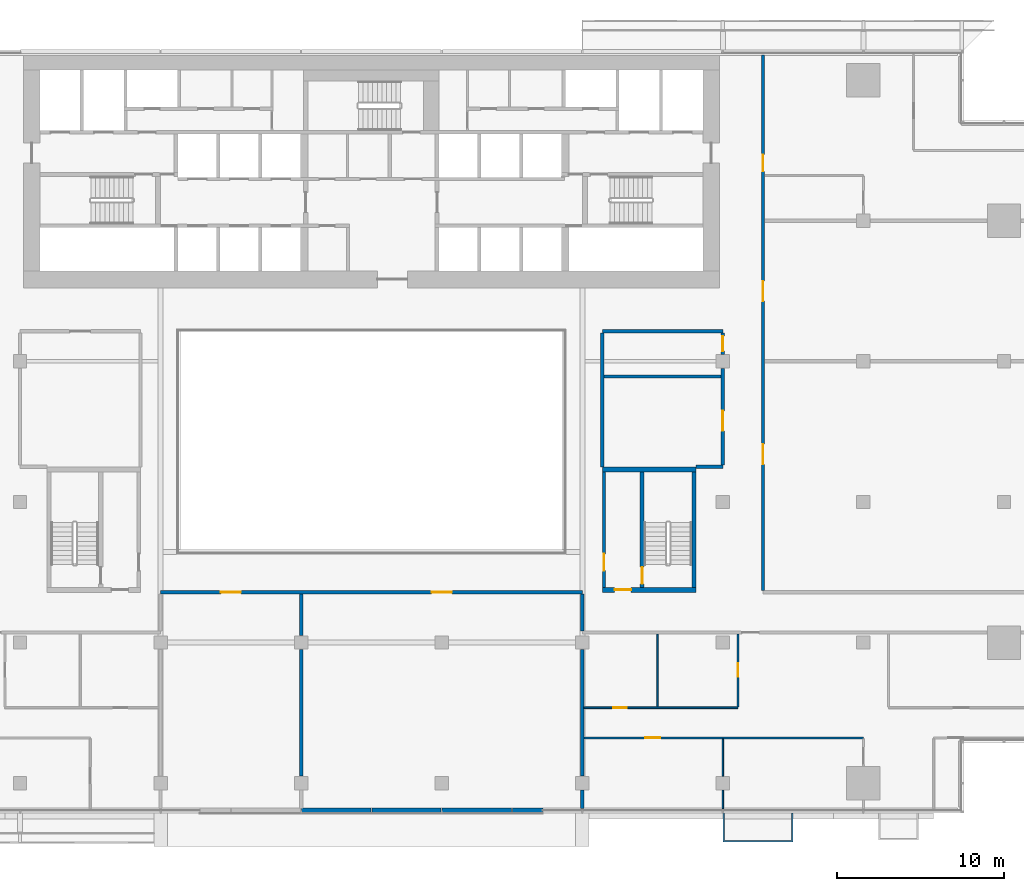
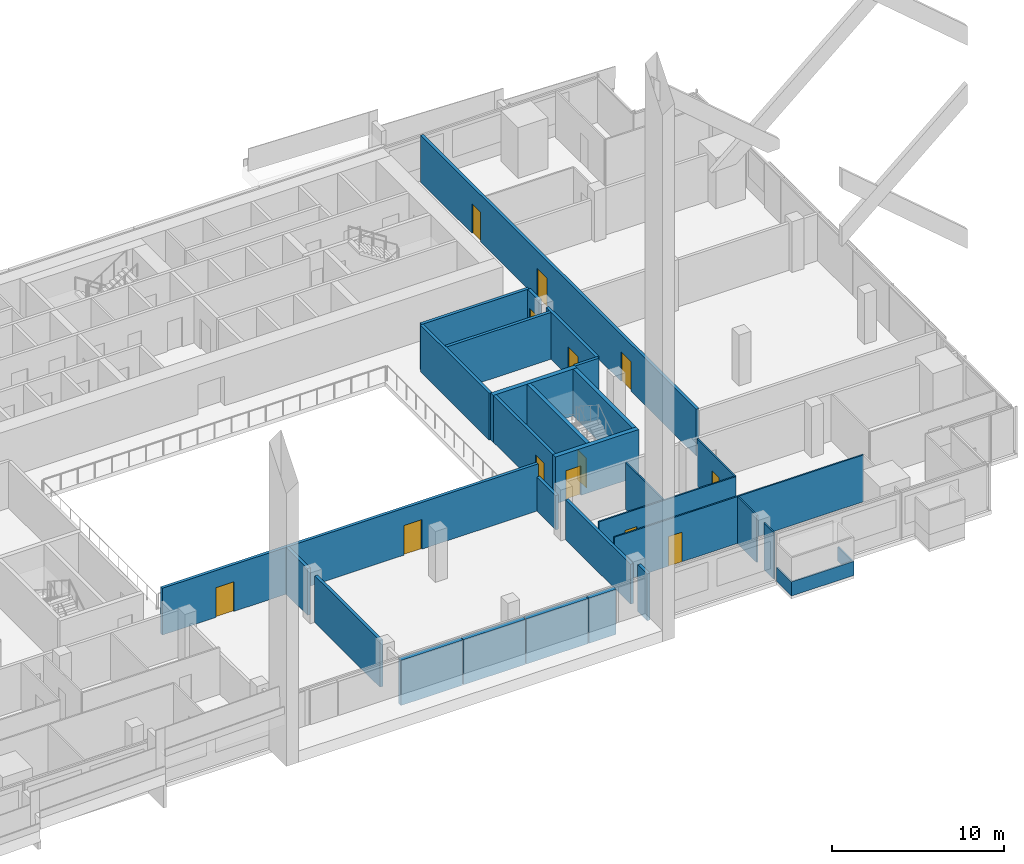
# One storey, part 20 of 30: 29 walls, 13 doors, 13 openings.
"""IFC4 building model written with IfcOpenShell, lengths in metres."""

from ifc_helpers import new_model, si_unit, direction, frame, frame_2d, origin, place, context, subcontext, project, spatial, polyline, rectangle, outline, extrude, material, layer, layer_set, type_object, element, fill, save


model = new_model("IFC4")

# Units and contexts
model_context = context("Model", 3, precision=1e-05, world=origin(), true_north=direction((0.0, 1.0)))
body_context = subcontext(model_context, "Body", "Model", "MODEL_VIEW")
ifc_project = project(units=[si_unit("LENGTHUNIT", "METRE"), si_unit("AREAUNIT", "SQUARE_METRE"), si_unit("VOLUMEUNIT", "CUBIC_METRE"), si_unit("PLANEANGLEUNIT", "RADIAN"), si_unit("MASSUNIT", "GRAM", prefix="KILO")], contexts=[model_context])

# Site, building, storey
site_placement = place(None, origin())
site = spatial("IfcSite", under=ifc_project, at=site_placement, CompositionType="ELEMENT")
building_placement = place(site_placement, origin())
building = spatial("IfcBuilding", under=site, at=building_placement, Name="Saffron Gate Tower", CompositionType="ELEMENT")
storey_placement = place(building_placement, frame((0.0, 0.0, 95.25)))
storey = spatial("IfcBuildingStorey", under=building, at=storey_placement, Name="L21", CompositionType="ELEMENT", Elevation=95.25)

# Wall, opening, door
ifc_material_1 = material(Name="Gypsum board partition on steel studs", Category="steel")
ifc_layer_1 = layer(ifc_material_1, 0.199951171875)
ifc_layer_set_1 = layer_set([ifc_layer_1], Name="CW10 Core partition 200")
wall_type_1 = type_object("IfcWallType", Name="CW10 Core partition 200", PredefinedType="PARTITIONING", material=ifc_layer_set_1)
wall_1_placement = place(storey_placement, frame((101.5, 43.5, 0.0), z_axis=(0.0, 0.0, 1.0), x_axis=(0.0, 1.0, 0.0)))
wall_1 = element("IfcWall", 1, at=wall_1_placement, inside=storey, type_object=wall_type_1, Name="Wall CW10-L21-E-2", PredefinedType="PARTITIONING", context=body_context, shape_type="SweptSolid", body=[
    extrude(rectangle(XDim=6.89990234375, YDim=0.199951171875, at=frame_2d((3.449951171875, 0.0))), origin(), (0.0, 0.0, 1.0), 3.320068359375),
])
opening_1_placement = place(wall_1_placement, frame((1.0, 0.0, 0.0)))
opening_1 = element("IfcOpeningElement", 2, at=opening_1_placement, cuts=wall_1, Name="Opening CR-22", PredefinedType="OPENING", context=body_context, shape_type="SweptSolid", body=[
    extrude(rectangle(XDim=1.0, YDim=2.10009765625, at=frame_2d((0.5, 1.050048828125))), frame((0.0, 0.10986328125, 0.0), z_axis=(0.0, -1.0, 0.0), x_axis=(1.0, 0.0, 0.0)), (0.0, 0.0, 1.0), 0.219970703125),
])
ifc_material_2 = material(Name="Steel fire door set", Category="steel")
door_type_1 = type_object("IfcDoorType", Name="CD4 Lobby door 1000x2100 EI 120", OperationType="NOTDEFINED", PredefinedType="DOOR", material=ifc_material_2)
door_1_placement = place(opening_1_placement, origin())
door_1 = element("IfcDoor", 3, at=door_1_placement, inside=storey, type_object=door_type_1, Name="DOOR CR-22", OperationType="SINGLE_SWING_LEFT", OverallHeight=2.10009765625, OverallWidth=1.0, PredefinedType="DOOR", context=body_context, shape_type="SweptSolid", body=[
    extrude(rectangle(XDim=1.0, YDim=2.10009765625, at=frame_2d((0.5, 1.050048828125))), frame((0.0, 0.02490234375, 0.0), z_axis=(0.0, -1.0, 0.0), x_axis=(1.0, 0.0, 0.0)), (0.0, 0.0, 1.0), 0.050048828125),
])
fill(opening_1, door_1)

ifc_material_3 = material(Name="Concrete C70", Category="concrete")
ifc_layer_2 = layer(ifc_material_3, 0.25)
ifc_layer_set_2 = layer_set([ifc_layer_2], Name="CW2 RC core wall 250 C70")
wall_type_2 = type_object("IfcWallType", Name="CW2 RC core wall 250 C70", PredefinedType="SOLIDWALL", material=ifc_layer_set_2)
wall_2_placement = place(storey_placement, frame((103.77490234375, 43.5, 0.0), z_axis=(0.0, 0.0, 1.0), x_axis=(0.0, 1.0, 0.0)))
wall_2 = element("IfcWall", 4, at=wall_2_placement, inside=storey, type_object=wall_type_2, Name="Wall CW2-L21-E-3", PredefinedType="SOLIDWALL", context=body_context, shape_type="SweptSolid", body=[
    extrude(rectangle(XDim=6.89990234375, YDim=0.25, at=frame_2d((3.449951171875, 0.0))), origin(), (0.0, 0.0, 1.0), 3.320068359375),
])
opening_2_placement = place(wall_2_placement, frame((0.199951171875, 0.0, 0.0)))
opening_2 = element("IfcOpeningElement", 5, at=opening_2_placement, cuts=wall_2, Name="Opening CR-23", PredefinedType="OPENING", context=body_context, shape_type="SweptSolid", body=[
    extrude(rectangle(XDim=1.0, YDim=2.10009765625, at=frame_2d((0.5, 1.050048828125))), frame((0.0, 0.135009765625, 0.0), z_axis=(0.0, -1.0, 0.0), x_axis=(1.0, 0.0, 0.0)), (0.0, 0.0, 1.0), 0.27001953125),
])
door_type_2 = type_object("IfcDoorType", Name="CD5 Stair door 1000x2100 EI 120", OperationType="NOTDEFINED", PredefinedType="DOOR", material=ifc_material_2)
door_2_placement = place(opening_2_placement, origin())
door_2 = element("IfcDoor", 6, at=door_2_placement, inside=storey, type_object=door_type_2, Name="DOOR CR-23", OperationType="SINGLE_SWING_RIGHT", OverallHeight=2.10009765625, OverallWidth=1.0, PredefinedType="DOOR", context=body_context, shape_type="SweptSolid", body=[
    extrude(rectangle(XDim=1.0, YDim=2.10009765625, at=frame_2d((0.5, 1.050048828125))), frame((0.0, 0.02490234375, 0.0), z_axis=(0.0, -1.0, 0.0), x_axis=(1.0, 0.0, 0.0)), (0.0, 0.0, 1.0), 0.050048828125),
])
fill(opening_2, door_2)

# Wall
wall_3_placement = place(storey_placement, frame((106.875, 43.5, 0.0), z_axis=(0.0, 0.0, 1.0), x_axis=(0.0, 1.0, 0.0)))
element("IfcWall", 7, at=wall_3_placement, inside=storey, type_object=wall_type_2, Name="Wall CW2-L21-E-4", PredefinedType="SOLIDWALL", context=body_context, shape_type="SweptSolid", body=[
    extrude(rectangle(XDim=6.89990234375, YDim=0.25, at=frame_2d((3.449951171875, 0.0))), origin(), (0.0, 0.0, 1.0), 3.320068359375),
])

# Wall, opening, door
ifc_layer_3 = layer(ifc_material_3, 0.300048828125)
ifc_layer_set_3 = layer_set([ifc_layer_3], Name="CW5 RC core wall 300 C70")
wall_type_3 = type_object("IfcWallType", Name="CW5 RC core wall 300 C70", PredefinedType="SOLIDWALL", material=ifc_layer_set_3)
wall_4_placement = place(storey_placement, frame((101.39990234375, 43.35009765625, 0.0), z_axis=(0.0, 0.0, 1.0), x_axis=(1.0, 0.0, 0.0)))
wall_4 = element("IfcWall", 8, at=wall_4_placement, inside=storey, type_object=wall_type_3, Name="Wall CW5-L21-E-1", PredefinedType="SOLIDWALL", context=body_context, shape_type="SweptSolid", body=[
    extrude(rectangle(XDim=5.60009765625, YDim=0.300048828125, at=frame_2d((2.800048828125, 0.0))), origin(), (0.0, 0.0, 1.0), 3.320068359375),
])
opening_3_placement = place(wall_4_placement, frame((0.72509765625, 0.0, 0.0)))
opening_3 = element("IfcOpeningElement", 9, at=opening_3_placement, cuts=wall_4, Name="Opening CR-21", PredefinedType="OPENING", context=body_context, shape_type="SweptSolid", body=[
    extrude(rectangle(XDim=1.0, YDim=2.10009765625, at=frame_2d((0.5, 1.050048828125))), frame((0.0, 0.16015625, 0.0), z_axis=(0.0, -1.0, 0.0), x_axis=(1.0, 0.0, 0.0)), (0.0, 0.0, 1.0), 0.320068359375),
])
door_3_placement = place(opening_3_placement, origin())
door_3 = element("IfcDoor", 10, at=door_3_placement, inside=storey, type_object=door_type_1, Name="DOOR CR-21", OperationType="SINGLE_SWING_RIGHT", OverallHeight=2.10009765625, OverallWidth=1.0, PredefinedType="DOOR", context=body_context, shape_type="SweptSolid", body=[
    extrude(rectangle(XDim=1.0, YDim=2.10009765625, at=frame_2d((0.5, 1.050048828125))), frame((0.0, 0.02490234375, 0.0), z_axis=(0.0, -1.0, 0.0), x_axis=(1.0, 0.0, 0.0)), (0.0, 0.0, 1.0), 0.050048828125),
])
fill(opening_3, door_3)

# Wall
wall_5_placement = place(storey_placement, frame((101.39990234375, 50.550048828125, 0.0), z_axis=(0.0, 0.0, 1.0), x_axis=(1.0, 0.0, 0.0)))
element("IfcWall", 11, at=wall_5_placement, inside=storey, type_object=wall_type_3, Name="Wall CW5-L21-E-5", PredefinedType="SOLIDWALL", context=body_context, shape_type="SweptSolid", body=[
    extrude(rectangle(XDim=5.60009765625, YDim=0.300048828125, at=frame_2d((2.800048828125, 0.0))), origin(), (0.0, 0.0, 1.0), 3.320068359375),
])

# Wall, opening, door
ifc_material_4 = material(Name="Plasterboard on steel studs", Category="steel")
ifc_layer_4 = layer(ifc_material_4, 0.10009765625)
ifc_layer_set_4 = layer_set([ifc_layer_4], Name="PW1 Partition 100")
wall_type_4 = type_object("IfcWallType", Name="PW1 Partition 100", PredefinedType="PARTITIONING", material=ifc_layer_set_4)
wall_6_placement = place(storey_placement, frame((117.0, 34.5, 0.0), z_axis=(0.0, 0.0, 1.0), x_axis=(-1.0, 0.0, 0.0)))
wall_6 = element("IfcWall", 12, at=wall_6_placement, inside=storey, type_object=wall_type_4, Name="Partition B1-2", PredefinedType="PARTITIONING", context=body_context, shape_type="SweptSolid", body=[
    extrude(rectangle(XDim=16.699951171875, YDim=0.10009765625, at=frame_2d((8.35009765625, 0.0))), origin(), (0.0, 0.0, 1.0), 3.320068359375),
])
opening_4_placement = place(wall_6_placement, frame((12.14990234375, 0.0, 0.0)))
opening_4 = element("IfcOpeningElement", 13, at=opening_4_placement, cuts=wall_6, Name="Opening B1-9", PredefinedType="OPENING", context=body_context, shape_type="SweptSolid", body=[
    extrude(rectangle(XDim=0.89990234375, YDim=2.10009765625, at=frame_2d((0.449951171875, 1.050048828125))), frame((0.0, 0.06005859375, 0.0), z_axis=(0.0, -1.0, 0.0), x_axis=(1.0, 0.0, 0.0)), (0.0, 0.0, 1.0), 0.1201171875),
])
ifc_material_5 = material(Name="Timber door set", Category="wood")
door_type_3 = type_object("IfcDoorType", Name="RD1 Room door 900x2100", OperationType="NOTDEFINED", PredefinedType="DOOR", material=ifc_material_5)
door_4_placement = place(opening_4_placement, origin())
door_4 = element("IfcDoor", 14, at=door_4_placement, inside=storey, type_object=door_type_3, Name="Door B1-9", OperationType="SINGLE_SWING_RIGHT", OverallHeight=2.10009765625, OverallWidth=0.89990234375, PredefinedType="DOOR", context=body_context, shape_type="SweptSolid", body=[
    extrude(rectangle(XDim=0.89990234375, YDim=2.10009765625, at=frame_2d((0.449951171875, 1.050048828125))), frame((0.0, 0.02490234375, 0.0), z_axis=(0.0, -1.0, 0.0), x_axis=(1.0, 0.0, 0.0)), (0.0, 0.0, 1.0), 0.050048828125),
])
fill(opening_4, door_4)

wall_7_placement = place(storey_placement, frame((100.300048828125, 36.300048828125, 0.0), z_axis=(0.0, 0.0, 1.0), x_axis=(1.0, 0.0, 0.0)))
wall_7 = element("IfcWall", 15, at=wall_7_placement, inside=storey, type_object=wall_type_4, Name="Partition B1-6", PredefinedType="PARTITIONING", context=body_context, shape_type="SweptSolid", body=[
    extrude(rectangle(XDim=9.199951171875, YDim=0.10009765625, at=frame_2d((4.60009765625, 0.0))), origin(), (0.0, 0.0, 1.0), 3.320068359375),
])
opening_5_placement = place(wall_7_placement, frame((1.75, 0.0, 0.0)))
opening_5 = element("IfcOpeningElement", 16, at=opening_5_placement, cuts=wall_7, Name="Opening B1-18", PredefinedType="OPENING", context=body_context, shape_type="SweptSolid", body=[
    extrude(rectangle(XDim=0.800048828125, YDim=2.10009765625, at=frame_2d((0.39990234375, 1.050048828125))), frame((0.0, 0.06005859375, 0.0), z_axis=(0.0, -1.0, 0.0), x_axis=(1.0, 0.0, 0.0)), (0.0, 0.0, 1.0), 0.1201171875),
])
door_type_4 = type_object("IfcDoorType", Name="RD2 Bathroom door 800x2100", OperationType="NOTDEFINED", PredefinedType="DOOR", material=ifc_material_5)
door_5_placement = place(opening_5_placement, origin())
door_5 = element("IfcDoor", 17, at=door_5_placement, inside=storey, type_object=door_type_4, Name="Door B1-18", OperationType="SINGLE_SWING_LEFT", OverallHeight=2.10009765625, OverallWidth=0.800048828125, PredefinedType="DOOR", context=body_context, shape_type="SweptSolid", body=[
    extrude(rectangle(XDim=0.800048828125, YDim=2.10009765625, at=frame_2d((0.39990234375, 1.050048828125))), frame((0.0, 0.02490234375, 0.0), z_axis=(0.0, -1.0, 0.0), x_axis=(1.0, 0.0, 0.0)), (0.0, 0.0, 1.0), 0.050048828125),
])
fill(opening_5, door_5)

# Walls
wall_8_placement = place(storey_placement, frame((104.699951171875, 40.699951171875, 0.0), z_axis=(0.0, 0.0, 1.0), x_axis=(0.0, -1.0, 0.0)))
element("IfcWall", 18, at=wall_8_placement, inside=storey, type_object=wall_type_4, Name="Partition B1-60", PredefinedType="PARTITIONING", context=body_context, shape_type="SweptSolid", body=[
    extrude(rectangle(XDim=4.349853515625, YDim=0.10009765625, at=frame_2d((2.1748046875, 0.0))), origin(), (0.0, 0.0, 1.0), 3.320068359375),
])
wall_9_placement = place(storey_placement, frame((108.60009765625, 31.3798828125, 0.0), z_axis=(0.0, 0.0, 1.0), x_axis=(0.0, -1.0, 0.0)))
element("IfcWall", 19, at=wall_9_placement, inside=storey, type_object=wall_type_4, Name="Partition B1-63", PredefinedType="PARTITIONING", context=body_context, shape_type="SweptSolid", body=[
    extrude(rectangle(XDim=1.099853515625, YDim=0.10009765625, at=frame_2d((0.5498046875, 0.0))), origin(), (0.0, 0.0, 1.0), 3.320068359375),
])
wall_10_placement = place(storey_placement, frame((108.60009765625, 34.449951171875, 0.0), z_axis=(0.0, 0.0, 1.0), x_axis=(0.0, -1.0, 0.0)))
element("IfcWall", 20, at=wall_10_placement, inside=storey, type_object=wall_type_4, Name="Partition B1-64", PredefinedType="PARTITIONING", context=body_context, shape_type="SweptSolid", body=[
    extrude(rectangle(XDim=2.22998046875, YDim=0.10009765625, at=frame_2d((1.114990234375, 0.0))), origin(), (0.0, 0.0, 1.0), 3.320068359375),
])

# Wall, opening, door
wall_11_placement = place(storey_placement, frame((109.5, 36.35009765625, 0.0), z_axis=(0.0, 0.0, 1.0), x_axis=(0.0, 1.0, 0.0)))
wall_11 = element("IfcWall", 21, at=wall_11_placement, inside=storey, type_object=wall_type_4, Name="Partition B1-65", PredefinedType="PARTITIONING", context=body_context, shape_type="SweptSolid", body=[
    extrude(rectangle(XDim=4.349853515625, YDim=0.10009765625, at=frame_2d((2.1748046875, 0.0))), origin(), (0.0, 0.0, 1.0), 3.320068359375),
])
opening_6_placement = place(wall_11_placement, frame((1.800048828125, 0.0, 0.0)))
opening_6 = element("IfcOpeningElement", 22, at=opening_6_placement, cuts=wall_11, Name="Opening B1-19", PredefinedType="OPENING", context=body_context, shape_type="SweptSolid", body=[
    extrude(rectangle(XDim=0.800048828125, YDim=2.10009765625, at=frame_2d((0.39990234375, 1.050048828125))), frame((0.0, 0.06005859375, 0.0), z_axis=(0.0, -1.0, 0.0), x_axis=(1.0, 0.0, 0.0)), (0.0, 0.0, 1.0), 0.1201171875),
])
door_6_placement = place(opening_6_placement, origin())
door_6 = element("IfcDoor", 23, at=door_6_placement, inside=storey, type_object=door_type_4, Name="Door B1-19", OperationType="SINGLE_SWING_RIGHT", OverallHeight=2.10009765625, OverallWidth=0.800048828125, PredefinedType="DOOR", context=body_context, shape_type="SweptSolid", body=[
    extrude(rectangle(XDim=0.800048828125, YDim=2.10009765625, at=frame_2d((0.39990234375, 1.050048828125))), frame((0.0, 0.02490234375, 0.0), z_axis=(0.0, -1.0, 0.0), x_axis=(1.0, 0.0, 0.0)), (0.0, 0.0, 1.0), 0.050048828125),
])
fill(opening_6, door_6)

# Wall, openings, doors
ifc_material_6 = material(Name="Clay brick masonry, rendered", Category="masonry")
ifc_layer_5 = layer(ifc_material_6, 0.199951171875)
ifc_layer_set_5 = layer_set([ifc_layer_5], Name="PW3 Corridor wall 200")
wall_type_5 = type_object("IfcWallType", Name="PW3 Corridor wall 200", PredefinedType="PARTITIONING", material=ifc_layer_set_5)
wall_12_placement = place(storey_placement, frame((100.199951171875, 43.199951171875, 0.0), z_axis=(0.0, 0.0, 1.0), x_axis=(-1.0, 0.0, 0.0)))
wall_12 = element("IfcWall", 24, at=wall_12_placement, inside=storey, type_object=wall_type_5, Name="Wall B1-13", PredefinedType="PARTITIONING", context=body_context, shape_type="SweptSolid", body=[
    extrude(rectangle(XDim=25.199951171875, YDim=0.199951171875, at=frame_2d((12.60009765625, 0.0))), origin(), (0.0, 0.0, 1.0), 3.320068359375),
])
opening_7_placement = place(wall_12_placement, frame((7.800048828125, 0.0, 0.0)))
opening_7 = element("IfcOpeningElement", 25, at=opening_7_placement, cuts=wall_12, Name="Opening B1-26", PredefinedType="OPENING", context=body_context, shape_type="SweptSolid", body=[
    extrude(rectangle(XDim=1.199951171875, YDim=2.10009765625, at=frame_2d((0.60009765625, 1.050048828125))), frame((0.0, 0.10986328125, 0.0), z_axis=(0.0, -1.0, 0.0), x_axis=(1.0, 0.0, 0.0)), (0.0, 0.0, 1.0), 0.219970703125),
])
opening_8_placement = place(wall_12_placement, frame((20.39990234375, 0.0, 0.0)))
opening_8 = element("IfcOpeningElement", 26, at=opening_8_placement, cuts=wall_12, Name="Opening B1-25", PredefinedType="OPENING", context=body_context, shape_type="SweptSolid", body=[
    extrude(rectangle(XDim=1.199951171875, YDim=2.10009765625, at=frame_2d((0.60009765625, 1.050048828125))), frame((0.0, 0.10986328125, 0.0), z_axis=(0.0, -1.0, 0.0), x_axis=(1.0, 0.0, 0.0)), (0.0, 0.0, 1.0), 0.219970703125),
])
door_type_5 = type_object("IfcDoorType", Name="HD1 Hall door 1200x2100", OperationType="NOTDEFINED", PredefinedType="DOOR", material=ifc_material_5)
door_7_placement = place(opening_7_placement, origin())
door_7 = element("IfcDoor", 27, at=door_7_placement, inside=storey, type_object=door_type_5, Name="Door B1-26", OperationType="SINGLE_SWING_LEFT", OverallHeight=2.10009765625, OverallWidth=1.199951171875, PredefinedType="DOOR", context=body_context, shape_type="SweptSolid", body=[
    extrude(rectangle(XDim=1.199951171875, YDim=2.10009765625, at=frame_2d((0.60009765625, 1.050048828125))), frame((0.0, 0.02490234375, 0.0), z_axis=(0.0, -1.0, 0.0), x_axis=(1.0, 0.0, 0.0)), (0.0, 0.0, 1.0), 0.050048828125),
])
fill(opening_7, door_7)
door_8_placement = place(opening_8_placement, origin())
door_8 = element("IfcDoor", 28, at=door_8_placement, inside=storey, type_object=door_type_5, Name="Door B1-25", OperationType="SINGLE_SWING_LEFT", OverallHeight=2.10009765625, OverallWidth=1.199951171875, PredefinedType="DOOR", context=body_context, shape_type="SweptSolid", body=[
    extrude(rectangle(XDim=1.199951171875, YDim=2.10009765625, at=frame_2d((0.60009765625, 1.050048828125))), frame((0.0, 0.02490234375, 0.0), z_axis=(0.0, -1.0, 0.0), x_axis=(1.0, 0.0, 0.0)), (0.0, 0.0, 1.0), 0.050048828125),
])
fill(opening_8, door_8)

# Walls
wall_13_placement = place(storey_placement, frame((107.0, 50.699951171875, 0.0), z_axis=(0.0, 0.0, 1.0), x_axis=(1.0, 0.0, 0.0)))
element("IfcWall", 29, at=wall_13_placement, inside=storey, type_object=wall_type_5, Name="Wall B1-16", PredefinedType="PARTITIONING", context=body_context, shape_type="SweptSolid", body=[
    extrude(rectangle(XDim=1.60009765625, YDim=0.199951171875, at=frame_2d((0.800048828125, 0.0))), origin(), (0.0, 0.0, 1.0), 3.320068359375),
])
wall_14_placement = place(storey_placement, frame((101.39990234375, 58.800048828125, 0.0), z_axis=(0.0, 0.0, 1.0), x_axis=(1.0, 0.0, 0.0)))
element("IfcWall", 30, at=wall_14_placement, inside=storey, type_object=wall_type_5, Name="Wall B1-25", PredefinedType="PARTITIONING", context=body_context, shape_type="SweptSolid", body=[
    extrude(rectangle(XDim=7.2001953125, YDim=0.199951171875, at=frame_2d((3.60009765625, 0.0))), origin(), (0.0, 0.0, 1.0), 3.320068359375),
])
wall_15_placement = place(storey_placement, frame((100.199951171875, 43.10009765625, 0.0), z_axis=(0.0, 0.0, 1.0), x_axis=(0.0, -1.0, 0.0)))
element("IfcWall", 31, at=wall_15_placement, inside=storey, type_object=wall_type_5, Name="Wall B1-56", PredefinedType="PARTITIONING", context=body_context, shape_type="SweptSolid", body=[
    extrude(rectangle(XDim=2.2001953125, YDim=0.199951171875, at=frame_2d((1.10009765625, 0.0))), origin(), (0.0, 0.0, 1.0), 2.429931640625),
])
wall_16_placement = place(storey_placement, frame((101.39990234375, 58.699951171875, 0.0), z_axis=(0.0, 0.0, 1.0), x_axis=(0.0, -1.0, 0.0)))
element("IfcWall", 32, at=wall_16_placement, inside=storey, type_object=wall_type_5, Name="Wall B1-59", PredefinedType="PARTITIONING", context=body_context, shape_type="SweptSolid", body=[
    extrude(rectangle(XDim=8.0, YDim=0.199951171875, at=frame_2d((4.0, 0.0))), origin(), (0.0, 0.0, 1.0), 3.320068359375),
])

# Wall, opening, door
wall_17_placement = place(storey_placement, frame((108.60009765625, 50.800048828125, 0.0), z_axis=(0.0, 0.0, 1.0), x_axis=(0.0, 1.0, 0.0)))
wall_17 = element("IfcWall", 33, at=wall_17_placement, inside=storey, type_object=wall_type_5, Name="Wall B1-61", PredefinedType="PARTITIONING", context=body_context, shape_type="SweptSolid", body=[
    extrude(rectangle(XDim=5.780029296875, YDim=0.199951171875, at=frame_2d((2.89013671875, 0.0))), origin(), (0.0, 0.0, 1.0), 3.320068359375),
])
opening_9_placement = place(wall_17_placement, frame((2.050048828125, 0.0, 0.0)))
opening_9 = element("IfcOpeningElement", 34, at=opening_9_placement, cuts=wall_17, Name="Opening B1-24", PredefinedType="OPENING", context=body_context, shape_type="SweptSolid", body=[
    extrude(rectangle(XDim=1.199951171875, YDim=2.10009765625, at=frame_2d((0.60009765625, 1.050048828125))), frame((0.0, 0.10986328125, 0.0), z_axis=(0.0, -1.0, 0.0), x_axis=(1.0, 0.0, 0.0)), (0.0, 0.0, 1.0), 0.219970703125),
])
door_9_placement = place(opening_9_placement, origin())
door_9 = element("IfcDoor", 35, at=door_9_placement, inside=storey, type_object=door_type_5, Name="Door B1-24", OperationType="SINGLE_SWING_RIGHT", OverallHeight=2.10009765625, OverallWidth=1.199951171875, PredefinedType="DOOR", context=body_context, shape_type="SweptSolid", body=[
    extrude(rectangle(XDim=1.199951171875, YDim=2.10009765625, at=frame_2d((0.60009765625, 1.050048828125))), frame((0.0, 0.02490234375, 0.0), z_axis=(0.0, -1.0, 0.0), x_axis=(1.0, 0.0, 0.0)), (0.0, 0.0, 1.0), 0.050048828125),
])
fill(opening_9, door_9)

wall_18_placement = place(storey_placement, frame((108.60009765625, 57.419921875, 0.0), z_axis=(0.0, 0.0, 1.0), x_axis=(0.0, 1.0, 0.0)))
wall_18 = element("IfcWall", 36, at=wall_18_placement, inside=storey, type_object=wall_type_5, Name="Wall B1-62", PredefinedType="PARTITIONING", context=body_context, shape_type="SweptSolid", body=[
    extrude(rectangle(XDim=1.280029296875, YDim=0.199951171875, at=frame_2d((0.64013671875, 0.0))), origin(), (0.0, 0.0, 1.0), 3.320068359375),
])
opening_10_placement = place(wall_18_placement, frame((0.18994140625, 0.0, 0.0)))
opening_10 = element("IfcOpeningElement", 37, at=opening_10_placement, cuts=wall_18, Name="Opening B1-15", PredefinedType="OPENING", context=body_context, shape_type="SweptSolid", body=[
    extrude(rectangle(XDim=0.89990234375, YDim=2.10009765625, at=frame_2d((0.449951171875, 1.050048828125))), frame((0.0, 0.10986328125, 0.0), z_axis=(0.0, -1.0, 0.0), x_axis=(1.0, 0.0, 0.0)), (0.0, 0.0, 1.0), 0.219970703125),
])
door_10_placement = place(opening_10_placement, origin())
door_10 = element("IfcDoor", 38, at=door_10_placement, inside=storey, type_object=door_type_3, Name="Door B1-15", OperationType="SINGLE_SWING_RIGHT", OverallHeight=2.10009765625, OverallWidth=0.89990234375, PredefinedType="DOOR", context=body_context, shape_type="SweptSolid", body=[
    extrude(rectangle(XDim=0.89990234375, YDim=2.10009765625, at=frame_2d((0.449951171875, 1.050048828125))), frame((0.0, 0.02490234375, 0.0), z_axis=(0.0, -1.0, 0.0), x_axis=(1.0, 0.0, 0.0)), (0.0, 0.0, 1.0), 0.050048828125),
])
fill(opening_10, door_10)

# Wall, openings, doors
wall_19_placement = place(storey_placement, frame((111.0, 75.320068359375, 0.0), z_axis=(0.0, 0.0, 1.0), x_axis=(0.0, -1.0, 0.0)))
wall_19 = element("IfcWall", 39, at=wall_19_placement, inside=storey, type_object=wall_type_5, Name="Wall B1-66", PredefinedType="PARTITIONING", context=body_context, shape_type="SweptSolid", body=[
    extrude(rectangle(XDim=32.02001953125, YDim=0.199951171875, at=frame_2d((16.010009765625, 0.0))), origin(), (0.0, 0.0, 1.0), 3.320068359375),
])
opening_11_placement = place(wall_19_placement, frame((5.969970703125, 0.0, 0.0)))
opening_11 = element("IfcOpeningElement", 40, at=opening_11_placement, cuts=wall_19, Name="Opening B1-4", PredefinedType="OPENING", context=body_context, shape_type="SweptSolid", body=[
    extrude(rectangle(XDim=1.0, YDim=2.10009765625, at=frame_2d((0.5, 1.050048828125))), frame((0.0, 0.10986328125, 0.0), z_axis=(0.0, -1.0, 0.0), x_axis=(1.0, 0.0, 0.0)), (0.0, 0.0, 1.0), 0.219970703125),
])
opening_12_placement = place(wall_19_placement, frame((13.52001953125, 0.0, 0.0)))
opening_12 = element("IfcOpeningElement", 41, at=opening_12_placement, cuts=wall_19, Name="Opening B1-23", PredefinedType="OPENING", context=body_context, shape_type="SweptSolid", body=[
    extrude(rectangle(XDim=1.199951171875, YDim=2.10009765625, at=frame_2d((0.60009765625, 1.050048828125))), frame((0.0, 0.10986328125, 0.0), z_axis=(0.0, -1.0, 0.0), x_axis=(1.0, 0.0, 0.0)), (0.0, 0.0, 1.0), 0.219970703125),
])
opening_13_placement = place(wall_19_placement, frame((23.27001953125, 0.0, 0.0)))
opening_13 = element("IfcOpeningElement", 42, at=opening_13_placement, cuts=wall_19, Name="Opening B1-22", PredefinedType="OPENING", context=body_context, shape_type="SweptSolid", body=[
    extrude(rectangle(XDim=1.199951171875, YDim=2.10009765625, at=frame_2d((0.60009765625, 1.050048828125))), frame((0.0, 0.10986328125, 0.0), z_axis=(0.0, -1.0, 0.0), x_axis=(1.0, 0.0, 0.0)), (0.0, 0.0, 1.0), 0.219970703125),
])
ifc_material_7 = material(Name="Timber fire door set", Category="wood")
door_type_6 = type_object("IfcDoorType", Name="FD1 Flat entry door 1000x2100", OperationType="NOTDEFINED", PredefinedType="DOOR", material=ifc_material_7)
door_11_placement = place(opening_11_placement, origin())
door_11 = element("IfcDoor", 43, at=door_11_placement, inside=storey, type_object=door_type_6, Name="Door B1-4", OperationType="SINGLE_SWING_RIGHT", OverallHeight=2.10009765625, OverallWidth=1.0, PredefinedType="DOOR", context=body_context, shape_type="SweptSolid", body=[
    extrude(rectangle(XDim=1.0, YDim=2.10009765625, at=frame_2d((0.5, 1.050048828125))), frame((0.0, 0.02490234375, 0.0), z_axis=(0.0, -1.0, 0.0), x_axis=(1.0, 0.0, 0.0)), (0.0, 0.0, 1.0), 0.050048828125),
])
fill(opening_11, door_11)
door_12_placement = place(opening_12_placement, origin())
door_12 = element("IfcDoor", 44, at=door_12_placement, inside=storey, type_object=door_type_5, Name="Door B1-23", OperationType="SINGLE_SWING_LEFT", OverallHeight=2.10009765625, OverallWidth=1.199951171875, PredefinedType="DOOR", context=body_context, shape_type="SweptSolid", body=[
    extrude(rectangle(XDim=1.199951171875, YDim=2.10009765625, at=frame_2d((0.60009765625, 1.050048828125))), frame((0.0, 0.02490234375, 0.0), z_axis=(0.0, -1.0, 0.0), x_axis=(1.0, 0.0, 0.0)), (0.0, 0.0, 1.0), 0.050048828125),
])
fill(opening_12, door_12)
door_13_placement = place(opening_13_placement, origin())
door_13 = element("IfcDoor", 45, at=door_13_placement, inside=storey, type_object=door_type_5, Name="Door B1-22", OperationType="SINGLE_SWING_RIGHT", OverallHeight=2.10009765625, OverallWidth=1.199951171875, PredefinedType="DOOR", context=body_context, shape_type="SweptSolid", body=[
    extrude(rectangle(XDim=1.199951171875, YDim=2.10009765625, at=frame_2d((0.60009765625, 1.050048828125))), frame((0.0, 0.02490234375, 0.0), z_axis=(0.0, -1.0, 0.0), x_axis=(1.0, 0.0, 0.0)), (0.0, 0.0, 1.0), 0.050048828125),
])
fill(opening_13, door_13)

# Walls
ifc_layer_6 = layer(ifc_material_6, 0.199951171875)
ifc_layer_set_6 = layer_set([ifc_layer_6], Name="PW5 Room wall 200")
wall_type_6 = type_object("IfcWallType", Name="PW5 Room wall 200", PredefinedType="PARTITIONING", material=ifc_layer_set_6)
wall_20_placement = place(storey_placement, frame((101.5, 56.10009765625, 0.0), z_axis=(0.0, 0.0, 1.0), x_axis=(1.0, 0.0, 0.0)))
element("IfcWall", 46, at=wall_20_placement, inside=storey, type_object=wall_type_6, Name="Wall B1-17", PredefinedType="PARTITIONING", context=body_context, shape_type="SweptSolid", body=[
    extrude(rectangle(XDim=7.0, YDim=0.199951171875, at=frame_2d((3.5, 0.0))), origin(), (0.0, 0.0, 1.0), 3.320068359375),
])
wall_21_placement = place(storey_placement, frame((83.39990234375, 39.780029296875, 0.0), z_axis=(0.0, 0.0, 1.0), x_axis=(0.0, -1.0, 0.0)))
element("IfcWall", 47, at=wall_21_placement, inside=storey, type_object=wall_type_6, Name="Wall B1-54", PredefinedType="PARTITIONING", context=body_context, shape_type="SweptSolid", body=[
    extrude(rectangle(XDim=7.56005859375, YDim=0.199951171875, at=frame_2d((3.780029296875, 0.0))), origin(), (0.0, 0.0, 1.0), 3.320068359375),
])
wall_22_placement = place(storey_placement, frame((83.39990234375, 43.10009765625, 0.0), z_axis=(0.0, 0.0, 1.0), x_axis=(0.0, -1.0, 0.0)))
element("IfcWall", 48, at=wall_22_placement, inside=storey, type_object=wall_type_6, Name="Wall B1-55", PredefinedType="PARTITIONING", context=body_context, shape_type="SweptSolid", body=[
    extrude(rectangle(XDim=2.47998046875, YDim=0.199951171875, at=frame_2d((1.239990234375, 0.0))), origin(), (0.0, 0.0, 1.0), 3.320068359375),
])
wall_23_placement = place(storey_placement, frame((100.199951171875, 31.3798828125, 0.0), z_axis=(0.0, 0.0, 1.0), x_axis=(0.0, -1.0, 0.0)))
element("IfcWall", 49, at=wall_23_placement, inside=storey, type_object=wall_type_6, Name="Wall B1-57", PredefinedType="PARTITIONING", context=body_context, shape_type="SweptSolid", body=[
    extrude(rectangle(XDim=1.099853515625, YDim=0.199951171875, at=frame_2d((0.5498046875, 0.0))), origin(), (0.0, 0.0, 1.0), 3.320068359375),
])
wall_24_placement = place(storey_placement, frame((100.199951171875, 39.780029296875, 0.0), z_axis=(0.0, 0.0, 1.0), x_axis=(0.0, -1.0, 0.0)))
element("IfcWall", 50, at=wall_24_placement, inside=storey, type_object=wall_type_6, Name="Wall B1-58", PredefinedType="PARTITIONING", context=body_context, shape_type="SweptSolid", body=[
    extrude(rectangle(XDim=7.56005859375, YDim=0.199951171875, at=frame_2d((3.780029296875, 0.0))), origin(), (0.0, 0.0, 1.0), 2.830078125),
])
ifc_material_8 = material(Name="Rendered insulated panel, white")
ifc_layer_7 = layer(ifc_material_8, 0.10009765625)
ifc_layer_set_7 = layer_set([ifc_layer_7], Name="WB3 box parapet white")
wall_type_7 = type_object("IfcWallType", Name="WB3 box parapet white", PredefinedType="SOLIDWALL", material=ifc_layer_set_7)
wall_25_placement = place(storey_placement, origin())
element("IfcWall", 51, at=wall_25_placement, inside=storey, type_object=wall_type_7, Name="WINDOW BOX parapet", PredefinedType="SOLIDWALL", context=body_context, shape_type="SweptSolid", body=[
    extrude(outline(polyline([(108.60009765625, 30.0), (108.699951171875, 30.0), (108.699951171875, 28.366943359375), (112.699951171875, 28.366943359375), (112.699951171875, 30.0), (112.800048828125, 30.0), (112.800048828125, 28.26708984375), (108.60009765625, 28.26708984375), (108.60009765625, 30.0)])), origin(), (0.0, 0.0, 1.0), 1.0),
])
ifc_material_9 = material(Name="Reinforced concrete C40/50 with mineral wool insulation", Category="concrete")
ifc_layer_8 = layer(ifc_material_9, 0.30810546875)
ifc_layer_set_8 = layer_set([ifc_layer_8], Name="WBAY3 arch bay insulated wall")
wall_type_8 = type_object("IfcWallType", Name="WBAY3 arch bay insulated wall", PredefinedType="SOLIDWALL", material=ifc_layer_set_8)
for number, where, z_axis, x_axis, name in (
    (52, (87.570068359375, 30.154052734375, 0.0), (0.0, 0.0, 1.0), (-1.0, 0.0, 0.0), "ARCH BAY wall"),
    (53, (91.77001953125, 30.154052734375, 0.0), (0.0, 0.0, 1.0), (-1.0, 0.0, 0.0), "ARCH BAY wall"),
):
    element("IfcWall", number, at=place(storey_placement, frame(where, z_axis=z_axis, x_axis=x_axis)), inside=storey, type_object=wall_type_8, Name=name, PredefinedType="SOLIDWALL", context=body_context, shape_type="SweptSolid", body=[
        extrude(rectangle(XDim=4.14013671875, YDim=0.30810546875, at=frame_2d((2.070068359375, 0.0))), origin(), (0.0, 0.0, 1.0), 3.199951171875),
    ])
wall_26_placement = place(storey_placement, frame((95.969970703125, 30.154052734375, 0.0), z_axis=(0.0, 0.0, 1.0), x_axis=(-1.0, 0.0, 0.0)))
element("IfcWall", 54, at=wall_26_placement, inside=storey, type_object=wall_type_8, Name="ARCH BAY wall", PredefinedType="SOLIDWALL", context=body_context, shape_type="SweptSolid", body=[
    extrude(rectangle(XDim=4.139892578125, YDim=0.30810546875, at=frame_2d((2.06982421875, 0.0))), origin(), (0.0, 0.0, 1.0), 3.199951171875),
])
wall_27_placement = place(storey_placement, frame((97.84912109375, 30.154052734375, 0.0), z_axis=(0.0, 0.0, 1.0), x_axis=(-1.0, 0.0, 0.0)))
element("IfcWall", 55, at=wall_27_placement, inside=storey, type_object=wall_type_8, Name="ARCH BAY wall", PredefinedType="SOLIDWALL", context=body_context, shape_type="SweptSolid", body=[
    extrude(rectangle(XDim=1.819091796875, YDim=0.30810546875, at=frame_2d((0.90966796875, 0.0))), origin(), (0.0, 0.0, 1.0), 3.199951171875),
])

save(model, "model.ifc")
